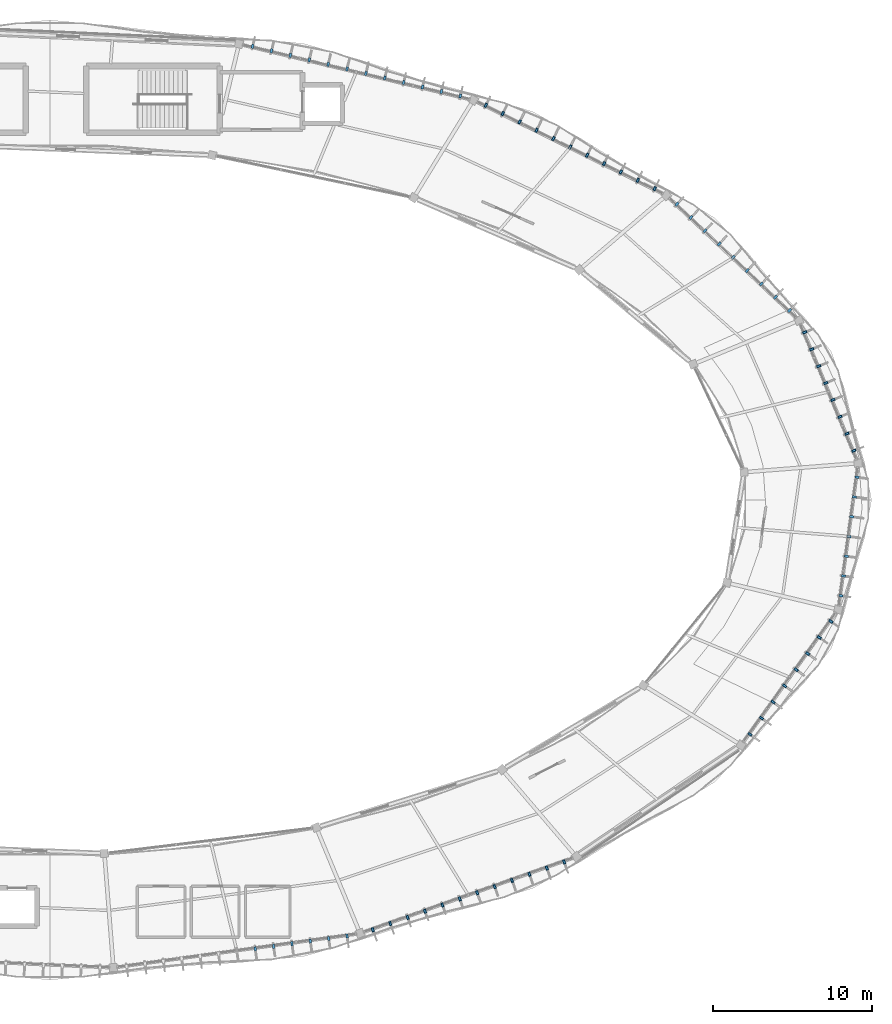
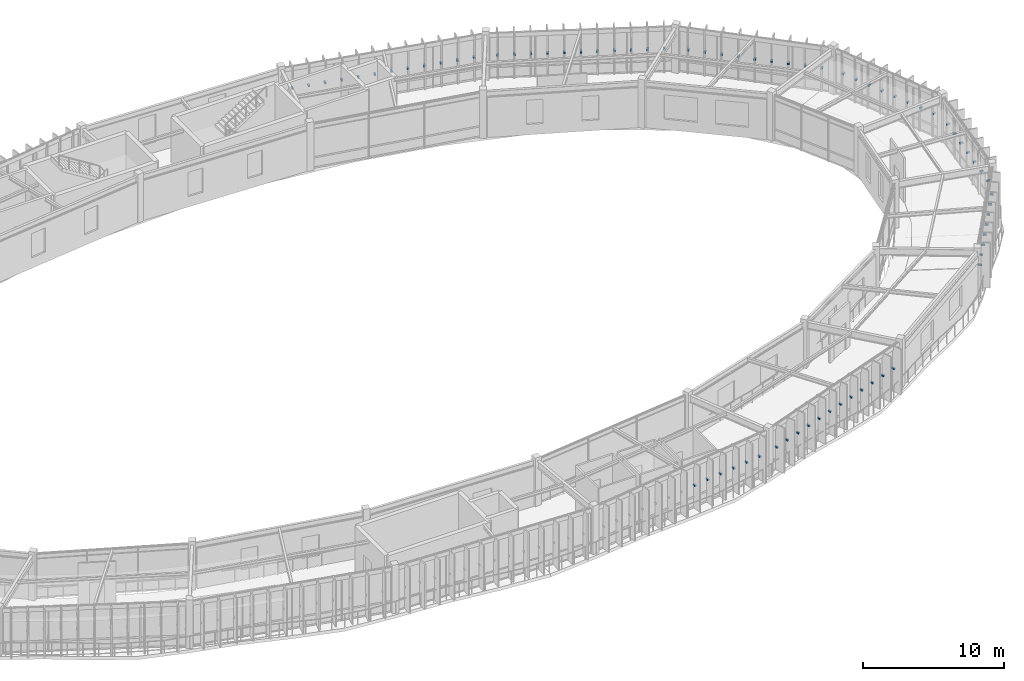
# One storey, part 74 of 78: 73 discrete accessories.
"""IFC4 building model written with IfcOpenShell, lengths in metres."""

from ifc_helpers import new_model, si_unit, direction, frame, origin, origin_2d, place, context, subcontext, project, spatial, rectangle, extrude, material, type_object, element, save


model = new_model("IFC4")

# Units and contexts
model_context = context("Model", 3, precision=1e-05, world=origin(), true_north=direction((0.0, 1.0)))
body_context = subcontext(model_context, "Body", "Model", "MODEL_VIEW")
ifc_project = project(units=[si_unit("LENGTHUNIT", "METRE"), si_unit("AREAUNIT", "SQUARE_METRE"), si_unit("VOLUMEUNIT", "CUBIC_METRE"), si_unit("PLANEANGLEUNIT", "RADIAN"), si_unit("MASSUNIT", "GRAM", prefix="KILO"), si_unit("THERMODYNAMICTEMPERATUREUNIT", "KELVIN"), si_unit("POWERUNIT", "WATT")], contexts=[model_context])

# Site, building, storey
site_placement = place(None, origin())
site = spatial("IfcSite", under=ifc_project, at=site_placement, CompositionType="ELEMENT")
building_placement = place(site_placement, origin())
building = spatial("IfcBuilding", under=site, at=building_placement, Name="Darbajah Civic Hall", CompositionType="ELEMENT")
storey_placement = place(building_placement, frame((0.0, 0.0, 26.39990234375)))
storey = spatial("IfcBuildingStorey", under=building, at=storey_placement, Name="L06", CompositionType="ELEMENT", Elevation=26.39990234375)

# Discrete accessories
ifc_material = material(Name="Stainless Steel S355JR", Category="steel")
discrete_accessory_type = type_object("IfcDiscreteAccessoryType", Name="Stainless Facade Support Bracket", PredefinedType="BRACKET", material=ifc_material)
for number, where, z_axis, x_axis, name in (
    (1, (139.680908203125, 92.902099609375, 1.89013671875), (0.0, 0.0, 1.0), (0.923612143954, 0.383328328644, 0.0), "L06 shading fin bracket 00-1"),
    (2, (139.239501953125, 93.9658203125, 1.89013671875), (0.0, 0.0, 1.0), (0.923612143954, 0.383328328644, 0.0), "L06 shading fin bracket 00-2"),
    (3, (138.798095703125, 95.029296875, 1.89013671875), (0.0, 0.0, 1.0), (0.923612143954, 0.383328328644, 0.0), "L06 shading fin bracket 00-3"),
    (4, (138.3564453125, 96.093017578125, 1.89013671875), (0.0, 0.0, 1.0), (0.923612143954, 0.383328328644, 0.0), "L06 shading fin bracket 00-4"),
    (5, (137.9150390625, 97.15673828125, 1.89013671875), (0.0, 0.0, 1.0), (0.923612143954, 0.383328328644, 0.0), "L06 shading fin bracket 00-5"),
    (6, (137.4736328125, 98.22021484375, 1.89013671875), (0.0, 0.0, 1.0), (0.923612143954, 0.383328328644, 0.0), "L06 shading fin bracket 00-6"),
    (7, (137.031982421875, 99.283935546875, 1.89013671875), (0.0, 0.0, 1.0), (0.923612143954, 0.383328328644, 0.0), "L06 shading fin bracket 00-7"),
    (8, (136.590576171875, 100.34765625, 1.89013671875), (0.0, 0.0, 1.0), (0.923612143954, 0.383328328644, 0.0), "L06 shading fin bracket 00-8"),
    (9, (135.633056640625, 101.723876953125, 1.89013671875), (0.0, 0.0, 1.0), (0.686453193248, 0.727173991201, 0.0), "L06 shading fin bracket 01-1"),
    (10, (134.747314453125, 102.559814453125, 1.89013671875), (0.0, 0.0, 1.0), (0.686453193248, 0.727173991201, 0.0), "L06 shading fin bracket 01-2"),
    (11, (133.86181640625, 103.395751953125, 1.89013671875), (0.0, 0.0, 1.0), (0.686453193248, 0.727173991201, 0.0), "L06 shading fin bracket 01-3"),
    (12, (132.97607421875, 104.231689453125, 1.89013671875), (0.0, 0.0, 1.0), (0.686453193248, 0.727173991201, 0.0), "L06 shading fin bracket 01-4"),
    (13, (132.090576171875, 105.067626953125, 1.89013671875), (0.0, 0.0, 1.0), (0.686453193248, 0.727173991201, 0.0), "L06 shading fin bracket 01-5"),
    (14, (131.204833984375, 105.903564453125, 1.89013671875), (0.0, 0.0, 1.0), (0.686453193248, 0.727173991201, 0.0), "L06 shading fin bracket 01-6"),
    (15, (130.319091796875, 106.739501953125, 1.89013671875), (0.0, 0.0, 1.0), (0.686453193248, 0.727173991201, 0.0), "L06 shading fin bracket 01-7"),
    (16, (129.43359375, 107.575439453125, 1.89013671875), (0.0, 0.0, 1.0), (0.686453193248, 0.727173991201, 0.0), "L06 shading fin bracket 01-8"),
    (17, (128.548095703125, 108.411376953125, 1.89013671875), (0.0, 0.0, 1.0), (0.686453193248, 0.727173991201, 0.0), "L06 shading fin bracket 01-9"),
    (18, (127.150390625, 109.386474609375, 1.89013671875), (0.0, 0.0, 1.0), (0.442914717678, 0.89656374724, 0.0), "L06 shading fin bracket 02-1"),
    (19, (126.08837890625, 109.910888671875, 1.89013671875), (0.0, 0.0, 1.0), (0.442914717678, 0.89656374724, 0.0), "L06 shading fin bracket 02-2"),
    (20, (125.026611328125, 110.435791015625, 1.89013671875), (0.0, 0.0, 1.0), (0.442914717678, 0.89656374724, 0.0), "L06 shading fin bracket 02-3"),
    (21, (123.964599609375, 110.960205078125, 1.89013671875), (0.0, 0.0, 1.0), (0.442914717678, 0.89656374724, 0.0), "L06 shading fin bracket 02-4"),
    (22, (122.902587890625, 111.485107421875, 1.89013671875), (0.0, 0.0, 1.0), (0.442914717678, 0.89656374724, 0.0), "L06 shading fin bracket 02-5"),
    (23, (121.840576171875, 112.009521484375, 1.89013671875), (0.0, 0.0, 1.0), (0.442914717678, 0.89656374724, 0.0), "L06 shading fin bracket 02-6"),
    (24, (120.77880859375, 112.5341796875, 1.89013671875), (0.0, 0.0, 1.0), (0.442914717678, 0.89656374724, 0.0), "L06 shading fin bracket 02-7"),
    (25, (119.716796875, 113.058837890625, 1.89013671875), (0.0, 0.0, 1.0), (0.442914717678, 0.89656374724, 0.0), "L06 shading fin bracket 02-8"),
    (26, (118.65478515625, 113.58349609375, 1.89013671875), (0.0, 0.0, 1.0), (0.442914717678, 0.89656374724, 0.0), "L06 shading fin bracket 02-9"),
    (27, (117.5927734375, 114.108154296875, 1.89013671875), (0.0, 0.0, 1.0), (0.442914717678, 0.89656374724, 0.0), "L06 shading fin bracket 02-10"),
    (28, (116.531005859375, 114.6328125, 1.89013671875), (0.0, 0.0, 1.0), (0.442914717678, 0.89656374724, 0.0), "L06 shading fin bracket 02-11"),
    (29, (114.922607421875, 115.212158203125, 1.89013671875), (0.0, 0.0, 1.0), (0.232936200179, 0.972492018808, 0.0), "L06 shading fin bracket 03-1"),
    (30, (113.73486328125, 115.496826171875, 1.89013671875), (0.0, 0.0, 1.0), (0.232936200179, 0.972492018808, 0.0), "L06 shading fin bracket 03-2"),
    (31, (112.547119140625, 115.78125, 1.89013671875), (0.0, 0.0, 1.0), (0.232936200179, 0.972492018808, 0.0), "L06 shading fin bracket 03-3"),
    (32, (111.359619140625, 116.06591796875, 1.89013671875), (0.0, 0.0, 1.0), (0.232936200179, 0.972492018808, 0.0), "L06 shading fin bracket 03-4"),
    (33, (110.172119140625, 116.350341796875, 1.89013671875), (0.0, 0.0, 1.0), (0.232936200179, 0.972492018808, 0.0), "L06 shading fin bracket 03-5"),
    (34, (108.984375, 116.635009765625, 1.89013671875), (0.0, 0.0, 1.0), (0.232936200179, 0.972492018808, 0.0), "L06 shading fin bracket 03-6"),
    (35, (107.796630859375, 116.91943359375, 1.89013671875), (0.0, 0.0, 1.0), (0.232936200179, 0.972492018808, 0.0), "L06 shading fin bracket 03-7"),
    (36, (106.609130859375, 117.2041015625, 1.89013671875), (0.0, 0.0, 1.0), (0.232936200179, 0.972492018808, 0.0), "L06 shading fin bracket 03-8"),
    (37, (105.42138671875, 117.488525390625, 1.89013671875), (0.0, 0.0, 1.0), (0.232936200179, 0.972492018808, 0.0), "L06 shading fin bracket 03-9"),
    (38, (104.23388671875, 117.773193359375, 1.89013671875), (0.0, 0.0, 1.0), (0.232936200179, 0.972492018808, 0.0), "L06 shading fin bracket 03-10"),
    (39, (103.046142578125, 118.0576171875, 1.89013671875), (0.0, 0.0, 1.0), (0.232936200179, 0.972492018808, 0.0), "L06 shading fin bracket 03-11"),
    (40, (101.858642578125, 118.34228515625, 1.89013671875), (0.0, 0.0, 1.0), (0.232936200179, 0.972492018808, 0.0), "L06 shading fin bracket 03-12"),
    (41, (102.0224609375, 61.569091796875, 1.89013671875), (0.0, 0.0, 1.0), (0.137617420457, -0.990485459553, 0.0), "L06 shading fin bracket 15-8"),
    (42, (103.177490234375, 61.7294921875, 1.89013671875), (0.0, 0.0, 1.0), (0.137617420457, -0.990485459553, 0.0), "L06 shading fin bracket 15-9"),
    (43, (104.332763671875, 61.889892578125, 1.89013671875), (0.0, 0.0, 1.0), (0.137617420457, -0.990485459553, 0.0), "L06 shading fin bracket 15-10"),
    (44, (105.48779296875, 62.050537109375, 1.89013671875), (0.0, 0.0, 1.0), (0.137617420457, -0.990485459553, 0.0), "L06 shading fin bracket 15-11"),
    (45, (106.642822265625, 62.2109375, 1.89013671875), (0.0, 0.0, 1.0), (0.137617420457, -0.990485459553, 0.0), "L06 shading fin bracket 15-12"),
    (46, (107.798095703125, 62.371337890625, 1.89013671875), (0.0, 0.0, 1.0), (0.137617420457, -0.990485459553, 0.0), "L06 shading fin bracket 15-13"),
    (47, (109.42138671875, 62.76708984375, 1.89013671875), (0.0, 0.0, 1.0), (0.334135882844, -0.94252491309, 0.0), "L06 shading fin bracket 16-1"),
    (48, (110.515625, 63.155029296875, 1.89013671875), (0.0, 0.0, 1.0), (0.334135882844, -0.94252491309, 0.0), "L06 shading fin bracket 16-2"),
    (49, (111.60986328125, 63.542724609375, 1.89013671875), (0.0, 0.0, 1.0), (0.334135882844, -0.94252491309, 0.0), "L06 shading fin bracket 16-3"),
    (50, (112.7041015625, 63.9306640625, 1.89013671875), (0.0, 0.0, 1.0), (0.334135882844, -0.94252491309, 0.0), "L06 shading fin bracket 16-4"),
    (51, (113.798095703125, 64.318603515625, 1.89013671875), (0.0, 0.0, 1.0), (0.334135882844, -0.94252491309, 0.0), "L06 shading fin bracket 16-5"),
    (52, (114.892333984375, 64.706298828125, 1.89013671875), (0.0, 0.0, 1.0), (0.334135882844, -0.94252491309, 0.0), "L06 shading fin bracket 16-6"),
    (53, (115.986572265625, 65.09423828125, 1.89013671875), (0.0, 0.0, 1.0), (0.334135882844, -0.94252491309, 0.0), "L06 shading fin bracket 16-7"),
    (54, (117.080810546875, 65.48193359375, 1.89013671875), (0.0, 0.0, 1.0), (0.334135882844, -0.94252491309, 0.0), "L06 shading fin bracket 16-8"),
    (55, (118.1748046875, 65.869873046875, 1.89013671875), (0.0, 0.0, 1.0), (0.334135882844, -0.94252491309, 0.0), "L06 shading fin bracket 16-9"),
    (56, (119.26904296875, 66.2578125, 1.89013671875), (0.0, 0.0, 1.0), (0.334135882844, -0.94252491309, 0.0), "L06 shading fin bracket 16-10"),
    (57, (120.36328125, 66.6455078125, 1.89013671875), (0.0, 0.0, 1.0), (0.334135882844, -0.94252491309, 0.0), "L06 shading fin bracket 16-11"),
    (58, (121.45751953125, 67.033203125, 1.89013671875), (0.0, 0.0, 1.0), (0.334135882844, -0.94252491309, 0.0), "L06 shading fin bracket 16-12"),
    (59, (133.143310546875, 75.063720703125, 1.89013671875), (0.0, 0.0, 1.0), (0.812999149039, -0.582264874145, 0.0), "L06 shading fin bracket 18-1"),
    (60, (133.8701171875, 76.078369140625, 1.89013671875), (0.0, 0.0, 1.0), (0.812999149039, -0.582264874145, 0.0), "L06 shading fin bracket 18-2"),
    (61, (134.5966796875, 77.093017578125, 1.89013671875), (0.0, 0.0, 1.0), (0.812999149039, -0.582264874145, 0.0), "L06 shading fin bracket 18-3"),
    (62, (135.3232421875, 78.107666015625, 1.89013671875), (0.0, 0.0, 1.0), (0.812999149039, -0.582264874145, 0.0), "L06 shading fin bracket 18-4"),
    (63, (136.0498046875, 79.122314453125, 1.89013671875), (0.0, 0.0, 1.0), (0.812999149039, -0.582264874145, 0.0), "L06 shading fin bracket 18-5"),
    (64, (136.776611328125, 80.136962890625, 1.89013671875), (0.0, 0.0, 1.0), (0.812999149039, -0.582264874145, 0.0), "L06 shading fin bracket 18-6"),
    (65, (137.503173828125, 81.151611328125, 1.89013671875), (0.0, 0.0, 1.0), (0.812999149039, -0.582264874145, 0.0), "L06 shading fin bracket 18-7"),
    (66, (138.229736328125, 82.166259765625, 1.89013671875), (0.0, 0.0, 1.0), (0.812999149039, -0.582264874145, 0.0), "L06 shading fin bracket 18-8"),
    (67, (138.868896484375, 83.776611328125, 1.89013671875), (0.0, 0.0, 1.0), (0.990865897387, -0.134850930274, 0.0), "L06 shading fin bracket 19-1"),
    (68, (139.0380859375, 85.019775390625, 1.89013671875), (0.0, 0.0, 1.0), (0.990865897387, -0.134850930274, 0.0), "L06 shading fin bracket 19-2"),
    (69, (139.207275390625, 86.2626953125, 1.89013671875), (0.0, 0.0, 1.0), (0.990865897387, -0.134850930274, 0.0), "L06 shading fin bracket 19-3"),
    (70, (139.376220703125, 87.505859375, 1.89013671875), (0.0, 0.0, 1.0), (0.990865897387, -0.134850930274, 0.0), "L06 shading fin bracket 19-4"),
    (71, (139.54541015625, 88.7490234375, 1.89013671875), (0.0, 0.0, 1.0), (0.990865897387, -0.134850930274, 0.0), "L06 shading fin bracket 19-5"),
    (72, (139.714599609375, 89.9921875, 1.89013671875), (0.0, 0.0, 1.0), (0.990865897387, -0.134850930274, 0.0), "L06 shading fin bracket 19-6"),
    (73, (139.8837890625, 91.235107421875, 1.89013671875), (0.0, 0.0, 1.0), (0.990865897387, -0.134850930274, 0.0), "L06 shading fin bracket 19-7"),
):
    element("IfcDiscreteAccessory", number, at=place(storey_placement, frame(where, z_axis=z_axis, x_axis=x_axis)), inside=storey, type_object=discrete_accessory_type, Name=name, PredefinedType="BRACKET", context=body_context, shape_type="SweptSolid", body=[
        extrude(rectangle(XDim=0.260009765625, YDim=0.139892578125, at=origin_2d()), origin(), (0.0, 0.0, 1.0), 0.139892578125),
    ])

save(model, "model.ifc")
